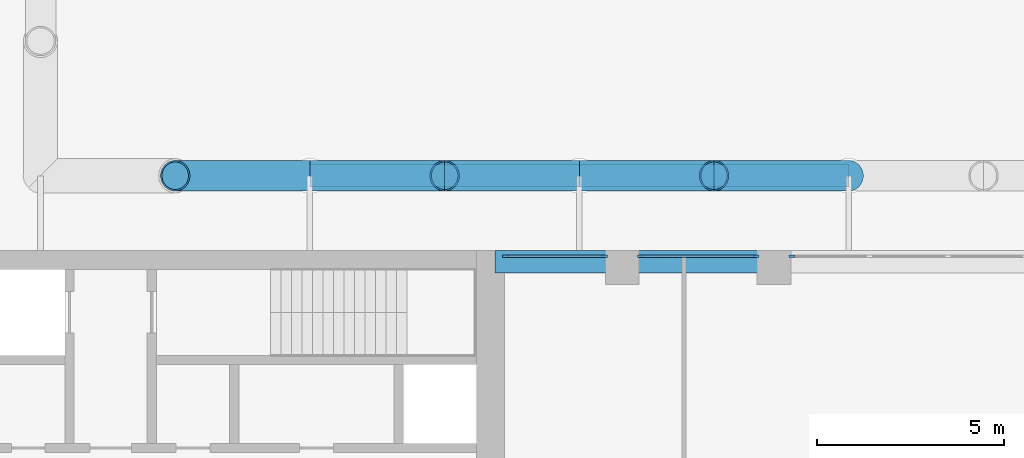
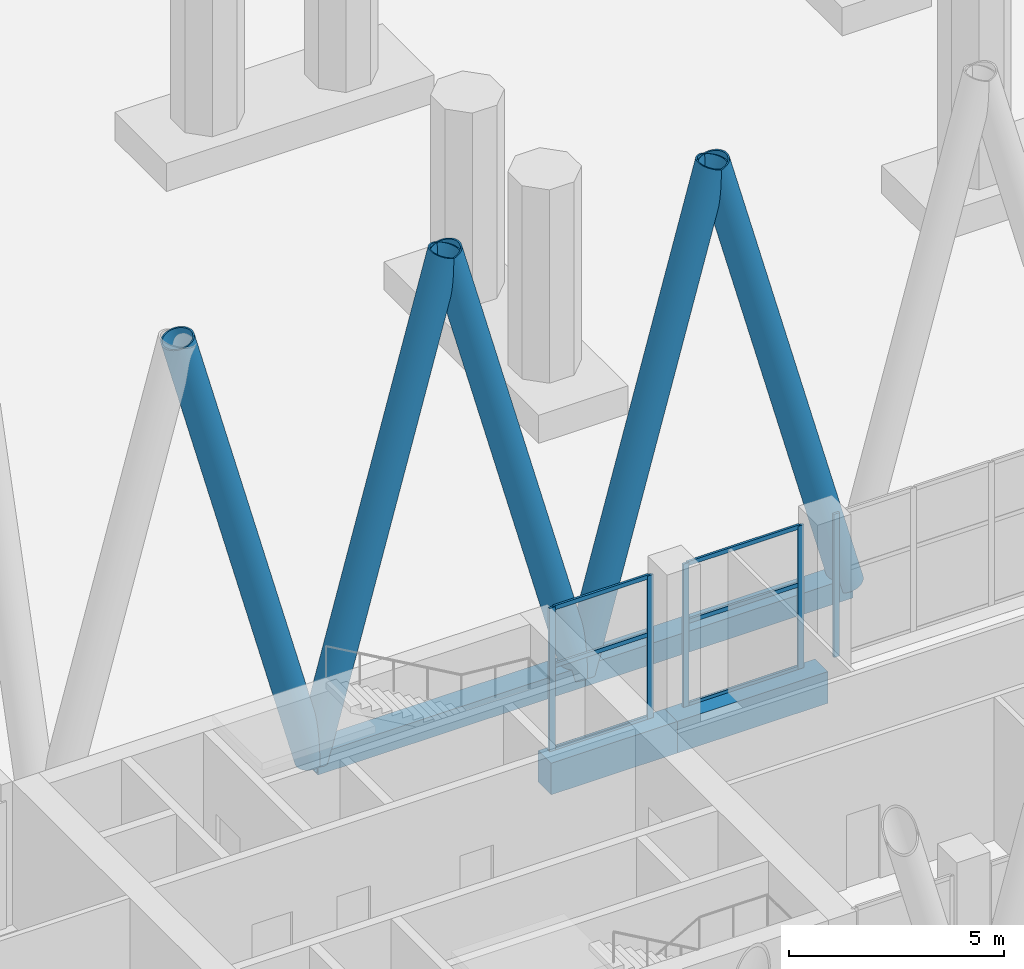
# One storey, part 9 of 31: 18 members, 2 beams, 3 elements without a shape of their own.
"""IFC4 building model written with IfcOpenShell, lengths in metres."""

from ifc_helpers import new_model, si_unit, direction, frame, origin, origin_2d, place, context, subcontext, project, spatial, rectangle, hollow_rectangle, hollow_circle, extrude, material, material_profile, profile_set, type_object, element, aggregate, save


model = new_model("IFC4")

# Units and contexts
model_context = context("Model", 3, precision=1e-05, world=origin(), true_north=direction((0.0, 1.0)))
body_context = subcontext(model_context, "Body", "Model", "MODEL_VIEW")
ifc_project = project(units=[si_unit("LENGTHUNIT", "METRE"), si_unit("AREAUNIT", "SQUARE_METRE"), si_unit("VOLUMEUNIT", "CUBIC_METRE"), si_unit("PLANEANGLEUNIT", "RADIAN"), si_unit("MASSUNIT", "GRAM", prefix="KILO")], contexts=[model_context])

# Site, building, storey
site_placement = place(None, origin())
site = spatial("IfcSite", under=ifc_project, at=site_placement, CompositionType="ELEMENT")
building_placement = place(site_placement, origin())
building = spatial("IfcBuilding", under=site, at=building_placement, Name="Fustian Cross Tower", CompositionType="ELEMENT")
storey_placement = place(building_placement, frame((0.0, 0.0, 7.199951171875)))
storey = spatial("IfcBuildingStorey", under=building, at=storey_placement, Name="L01", CompositionType="ELEMENT", Elevation=7.199951171875)

# Curtain wall, member
ifc_material_1 = material(Name="Glass", Category="glass")
curtain_wall_type = type_object("IfcCurtainWallType", Name="CW4 CURTAIN WALL", PredefinedType="NOTDEFINED", material=ifc_material_1)
curtain_wall_1_placement = place(storey_placement, origin())
curtain_wall_1 = element("IfcCurtainWall", 1, at=curtain_wall_1_placement, inside=storey, type_object=curtain_wall_type, Name="Curtain wall CW4", PredefinedType="NOTDEFINED")
ifc_material_2 = material(Name="Aluminium alloy 6063", Category="aluminium")
ifc_material_profile_1 = material_profile(ifc_material_2, rectangle(XDim=0.06005859375, YDim=0.159912109375, at=origin_2d()), Name="CW4 MULLION 60x160")
ifc_profile_set_1 = profile_set([ifc_material_profile_1], Name="Aluminium alloy 6063")
member_type_1 = type_object("IfcMemberType", Name="CW4 MULLION 60x160", PredefinedType="MULLION", material=ifc_profile_set_1)
member_1_placement = place(storey_placement, frame((29.280029296875, 7.050048828125, 0.0), z_axis=(0.0, 0.0, 1.0), x_axis=(0.0, -1.0, 0.0)))
member_1 = element("IfcMember", 2, at=member_1_placement, type_object=member_type_1, Name="CW4 mullion 4", PredefinedType="MULLION", context=body_context, shape_type="SweptSolid", body=[
    extrude(rectangle(XDim=0.06005859375, YDim=0.159912109375, at=origin_2d()), origin(), (0.0, 0.0, 1.0), 4.074951171875),
])
aggregate(curtain_wall_1, [member_1])

# Curtain wall, members
curtain_wall_2_placement = place(storey_placement, origin())
curtain_wall_2 = element("IfcCurtainWall", 3, at=curtain_wall_2_placement, inside=storey, type_object=curtain_wall_type, Name="Curtain wall CW4", PredefinedType="NOTDEFINED")
member_2_placement = place(storey_placement, frame((28.320068359375, 7.050048828125, 0.0), z_axis=(0.0, 0.0, 1.0), x_axis=(0.0, -1.0, 0.0)))
member_2 = element("IfcMember", 4, at=member_2_placement, type_object=member_type_1, Name="CW4 mullion 1", PredefinedType="MULLION", context=body_context, shape_type="SweptSolid", body=[
    extrude(rectangle(XDim=0.06005859375, YDim=0.159912109375, at=origin_2d()), origin(), (0.0, 0.0, 1.0), 4.074951171875),
])
member_3_placement = place(storey_placement, frame((25.22998046875, 7.050048828125, 0.0), z_axis=(0.0, 0.0, 1.0), x_axis=(0.0, -1.0, 0.0)))
member_3 = element("IfcMember", 5, at=member_3_placement, type_object=member_type_1, Name="CW4 mullion 2", PredefinedType="MULLION", context=body_context, shape_type="SweptSolid", body=[
    extrude(rectangle(XDim=0.06005859375, YDim=0.159912109375, at=origin_2d()), origin(), (0.0, 0.0, 1.0), 4.074951171875),
])

curtain_wall_3_placement = place(storey_placement, origin())
curtain_wall_3 = element("IfcCurtainWall", 6, at=curtain_wall_3_placement, inside=storey, type_object=curtain_wall_type, Name="Curtain wall CW4", PredefinedType="NOTDEFINED")
member_4_placement = place(storey_placement, frame((24.27001953125, 7.050048828125, 0.0), z_axis=(0.0, 0.0, 1.0), x_axis=(0.0, -1.0, 0.0)))
member_4 = element("IfcMember", 7, at=member_4_placement, type_object=member_type_1, Name="CW4 mullion 1", PredefinedType="MULLION", context=body_context, shape_type="SweptSolid", body=[
    extrude(rectangle(XDim=0.06005859375, YDim=0.159912109375, at=origin_2d()), origin(), (0.0, 0.0, 1.0), 4.074951171875),
])
member_5_placement = place(storey_placement, frame((21.6298828125, 7.050048828125, 0.0), z_axis=(0.0, 0.0, 1.0), x_axis=(0.0, -1.0, 0.0)))
member_5 = element("IfcMember", 8, at=member_5_placement, type_object=member_type_1, Name="CW4 mullion 2", PredefinedType="MULLION", context=body_context, shape_type="SweptSolid", body=[
    extrude(rectangle(XDim=0.06005859375, YDim=0.159912109375, at=origin_2d()), origin(), (0.0, 0.0, 1.0), 4.074951171875),
])

# Member
ifc_material_3 = material(Name="Aluminium alloy 6063", Category="aluminium")
ifc_material_profile_2 = material_profile(ifc_material_3, rectangle(XDim=0.06005859375, YDim=0.1201171875, at=origin_2d()), Name="CW4 TRANSOM 60x120")
ifc_profile_set_2 = profile_set([ifc_material_profile_2], Name="Aluminium alloy 6063")
member_type_2 = type_object("IfcMemberType", Name="CW4 TRANSOM 60x120", PredefinedType="USERDEFINED", material=ifc_profile_set_2)
member_6_placement = place(storey_placement, frame((28.2900390625, 7.050048828125, 0.030029296875), z_axis=(-1.0, 0.0, 0.0), x_axis=(0.0, -1.0, 0.0)))
member_6 = element("IfcMember", 9, at=member_6_placement, type_object=member_type_2, Name="CW4 transom 1.1", ObjectType="TRANSOM", PredefinedType="USERDEFINED", context=body_context, shape_type="SweptSolid", body=[
    extrude(rectangle(XDim=0.06005859375, YDim=0.1201171875, at=origin_2d()), origin(), (0.0, 0.0, 1.0), 3.030029296875),
])

member_7_placement = place(storey_placement, frame((28.2900390625, 7.050048828125, 2.400146484375), z_axis=(-1.0, 0.0, 0.0), x_axis=(0.0, -1.0, 0.0)))
member_7 = element("IfcMember", 10, at=member_7_placement, type_object=member_type_2, Name="CW4 transom 1.2", ObjectType="TRANSOM", PredefinedType="USERDEFINED", context=body_context, shape_type="SweptSolid", body=[
    extrude(rectangle(XDim=0.06005859375, YDim=0.1201171875, at=origin_2d()), origin(), (0.0, 0.0, 1.0), 3.030029296875),
])

member_8_placement = place(storey_placement, frame((28.2900390625, 7.050048828125, 4.045166015625), z_axis=(-1.0, 0.0, 0.0), x_axis=(0.0, -1.0, 0.0)))
member_8 = element("IfcMember", 11, at=member_8_placement, type_object=member_type_2, Name="CW4 transom 1.3", ObjectType="TRANSOM", PredefinedType="USERDEFINED", context=body_context, shape_type="SweptSolid", body=[
    extrude(rectangle(XDim=0.06005859375, YDim=0.1201171875, at=origin_2d()), origin(), (0.0, 0.0, 1.0), 3.030029296875),
])

aggregate(curtain_wall_2, [member_2, member_3, member_6, member_7, member_8])

member_9_placement = place(storey_placement, frame((24.239990234375, 7.050048828125, 0.030029296875), z_axis=(-1.0, 0.0, 0.0), x_axis=(0.0, -1.0, 0.0)))
member_9 = element("IfcMember", 12, at=member_9_placement, type_object=member_type_2, Name="CW4 transom 1.1", ObjectType="TRANSOM", PredefinedType="USERDEFINED", context=body_context, shape_type="SweptSolid", body=[
    extrude(rectangle(XDim=0.06005859375, YDim=0.1201171875, at=origin_2d()), origin(), (0.0, 0.0, 1.0), 2.580078125),
])

member_10_placement = place(storey_placement, frame((24.239990234375, 7.050048828125, 2.400146484375), z_axis=(-1.0, 0.0, 0.0), x_axis=(0.0, -1.0, 0.0)))
member_10 = element("IfcMember", 13, at=member_10_placement, type_object=member_type_2, Name="CW4 transom 1.2", ObjectType="TRANSOM", PredefinedType="USERDEFINED", context=body_context, shape_type="SweptSolid", body=[
    extrude(rectangle(XDim=0.06005859375, YDim=0.1201171875, at=origin_2d()), origin(), (0.0, 0.0, 1.0), 2.580078125),
])

member_11_placement = place(storey_placement, frame((24.239990234375, 7.050048828125, 4.045166015625), z_axis=(-1.0, 0.0, 0.0), x_axis=(0.0, -1.0, 0.0)))
member_11 = element("IfcMember", 14, at=member_11_placement, type_object=member_type_2, Name="CW4 transom 1.3", ObjectType="TRANSOM", PredefinedType="USERDEFINED", context=body_context, shape_type="SweptSolid", body=[
    extrude(rectangle(XDim=0.06005859375, YDim=0.1201171875, at=origin_2d()), origin(), (0.0, 0.0, 1.0), 2.580078125),
])

aggregate(curtain_wall_3, [member_4, member_5, member_9, member_10, member_11])

# Members
ifc_material_4 = material(Name="Steel S355", Category="steel")
ifc_material_profile_3 = material_profile(ifc_material_4, hollow_circle(Radius=0.406494140625, WallThickness=0.0400390625, at=origin_2d()), Name="CHS 813x40")
ifc_profile_set_3 = profile_set([ifc_material_profile_3], Name="Steel S355")
member_type_3 = type_object("IfcMemberType", Name="DIAGRID DIAGONAL CHS 813x40", PredefinedType="BRACE", material=ifc_profile_set_3)
for number, where, z_axis, x_axis, name in (
    (15, (30.800048828125, 9.199951171875, 0.300048828125), (-0.263124955092, 0.0, 0.964761762306), (0.0, -1.0, 0.0), "Diagrid diagonal E-N 05"),
    (16, (23.60009765625, 9.199951171875, 0.300048828125), (0.263108346568, 0.0, 0.964766291889), (0.0, 1.0, 0.0), "Diagrid diagonal E-N 06"),
    (17, (23.60009765625, 9.199951171875, 0.300048828125), (-0.263124955092, 0.0, 0.964761762306), (0.0, -1.0, 0.0), "Diagrid diagonal E-N 07"),
    (18, (16.39990234375, 9.199951171875, 0.300048828125), (0.263124955092, 0.0, 0.964761762306), (0.0, 1.0, 0.0), "Diagrid diagonal E-N 08"),
    (19, (16.39990234375, 9.199951171875, 0.300048828125), (-0.263108346568, 0.0, 0.964766291889), (0.0, -1.0, 0.0), "Diagrid diagonal E-N 09"),
):
    element("IfcMember", number, at=place(storey_placement, frame(where, z_axis=z_axis, x_axis=x_axis)), inside=storey, type_object=member_type_3, Name=name, PredefinedType="BRACE", context=body_context, shape_type="SweptSolid", body=[
        extrude(hollow_circle(Radius=0.406494140625, WallThickness=0.0400390625, at=origin_2d()), origin(), (0.0, 0.0, 1.0), 13.68212890625),
    ])
ifc_material_5 = material(Name="Steel S355", Category="steel")
ifc_material_profile_4 = material_profile(ifc_material_5, hollow_rectangle(XDim=0.60009765625, YDim=0.60009765625, WallThickness=0.030029296875, at=origin_2d()), Name="RHS 600x600x30")
ifc_profile_set_4 = profile_set([ifc_material_profile_4], Name="Steel S355")
member_type_4 = type_object("IfcMemberType", Name="DIAGRID RING RHS 600x600x30", PredefinedType="MEMBER", material=ifc_profile_set_4)
member_12_placement = place(storey_placement, frame((30.800048828125, 9.199951171875, 0.300048828125), z_axis=(-1.0, 0.0, 0.0), x_axis=(0.0, -1.0, 0.0)))
element("IfcMember", 20, at=member_12_placement, inside=storey, type_object=member_type_4, Name="Diagrid ring L01-04 L01-05", PredefinedType="MEMBER", context=body_context, shape_type="SweptSolid", body=[
    extrude(hollow_rectangle(XDim=0.60009765625, YDim=0.60009765625, WallThickness=0.030029296875, at=origin_2d()), origin(), (0.0, 0.0, 1.0), 7.199951171875),
])
member_13_placement = place(storey_placement, frame((23.60009765625, 9.199951171875, 0.300048828125), z_axis=(-1.0, 0.0, 0.0), x_axis=(0.0, -1.0, 0.0)))
element("IfcMember", 21, at=member_13_placement, inside=storey, type_object=member_type_4, Name="Diagrid ring L01-05 L01-06", PredefinedType="MEMBER", context=body_context, shape_type="SweptSolid", body=[
    extrude(hollow_rectangle(XDim=0.60009765625, YDim=0.60009765625, WallThickness=0.030029296875, at=origin_2d()), origin(), (0.0, 0.0, 1.0), 7.2001953125),
])

# Beams
ifc_material_6 = material(Name="Concrete C50/60", Category="concrete")
ifc_material_profile_5 = material_profile(ifc_material_6, rectangle(XDim=0.60009765625, YDim=0.89990234375, at=origin_2d()), Name="RC 600x900")
ifc_profile_set_5 = profile_set([ifc_material_profile_5], Name="Concrete C50/60")
beam_type = type_object("IfcBeamType", Name="EDGE BEAM RC 600x900 C50/60", PredefinedType="SPANDREL", material=ifc_profile_set_5)
beam_1_placement = place(storey_placement, frame((28.800048828125, 6.89990234375, -0.449951171875), z_axis=(-1.0, 0.0, 0.0), x_axis=(0.0, -1.0, 0.0)))
element("IfcBeam", 22, at=beam_1_placement, inside=storey, type_object=beam_type, Name="EDGE BEAM L01-08", PredefinedType="SPANDREL", context=body_context, shape_type="SweptSolid", body=[
    extrude(rectangle(XDim=0.60009765625, YDim=0.89990234375, at=origin_2d()), origin(), (0.0, 0.0, 1.0), 4.050048828125),
])
beam_2_placement = place(storey_placement, frame((24.75, 6.89990234375, -0.449951171875), z_axis=(-1.0, 0.0, 0.0), x_axis=(0.0, -1.0, 0.0)))
element("IfcBeam", 23, at=beam_2_placement, inside=storey, type_object=beam_type, Name="EDGE BEAM L01-09", PredefinedType="SPANDREL", context=body_context, shape_type="SweptSolid", body=[
    extrude(rectangle(XDim=0.60009765625, YDim=0.89990234375, at=origin_2d()), origin(), (0.0, 0.0, 1.0), 3.39990234375),
])

save(model, "model.ifc")
